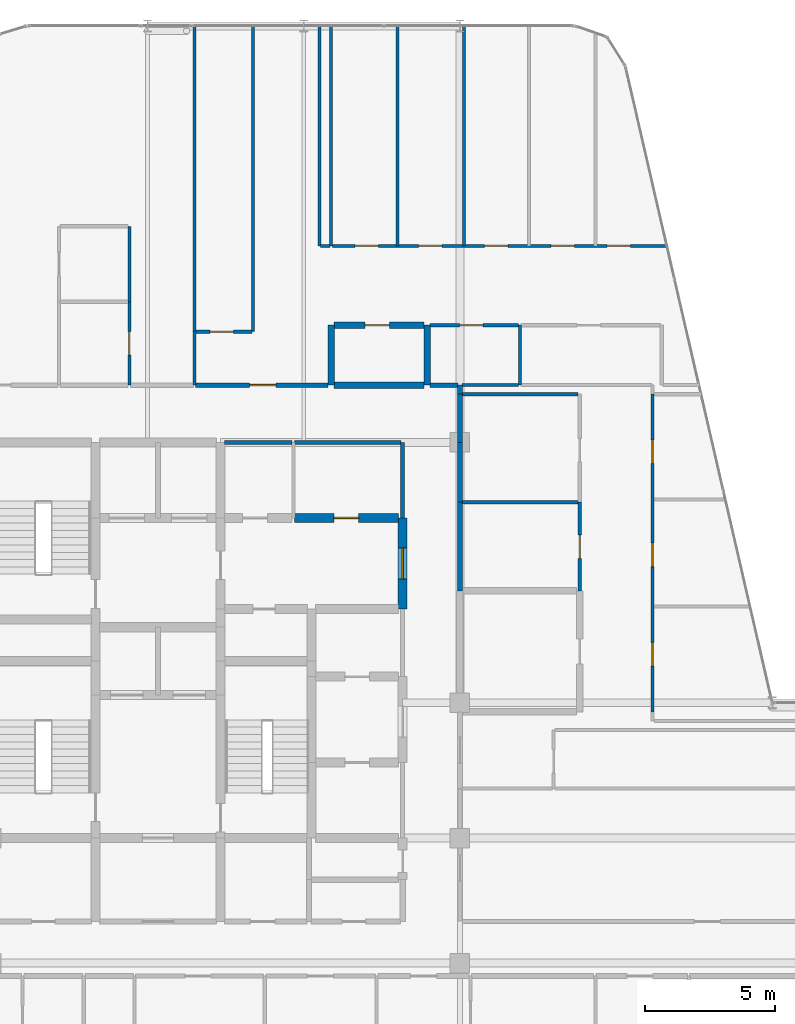
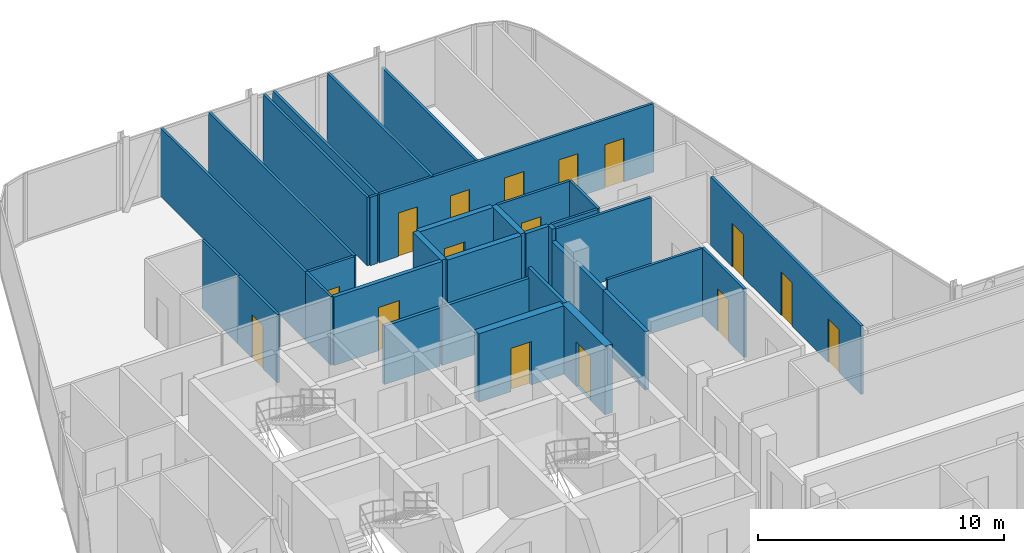
# One storey, part 27 of 29: 34 walls, 16 doors, 16 openings.
"""IFC4 building model written with IfcOpenShell, lengths in metres."""

from ifc_helpers import new_model, si_unit, direction, frame, frame_2d, origin, place, context, subcontext, project, spatial, rectangle, extrude, material, layer, layer_set, type_object, element, fill, save


model = new_model("IFC4")

# Units and contexts
model_context = context("Model", 3, precision=1e-05, world=origin(), true_north=direction((0.0, 1.0)))
body_context = subcontext(model_context, "Body", "Model", "MODEL_VIEW")
ifc_project = project(units=[si_unit("LENGTHUNIT", "METRE"), si_unit("AREAUNIT", "SQUARE_METRE"), si_unit("VOLUMEUNIT", "CUBIC_METRE"), si_unit("PLANEANGLEUNIT", "RADIAN"), si_unit("MASSUNIT", "GRAM", prefix="KILO")], contexts=[model_context])

# Site, building, storey
site_placement = place(None, origin())
site = spatial("IfcSite", under=ifc_project, at=site_placement, CompositionType="ELEMENT")
building_placement = place(site_placement, origin())
building = spatial("IfcBuilding", under=site, at=building_placement, Name="Keshet Zoharim Tower", CompositionType="ELEMENT")
storey_placement = place(building_placement, frame((0.0, 0.0, 230.199951171875)))
storey = spatial("IfcBuildingStorey", under=building, at=storey_placement, Name="L57", CompositionType="ELEMENT", Elevation=230.199951171875)

# Walls
ifc_material_1 = material(Name="Gypsum Plasterboard", Category="gypsum")
ifc_layer_1 = layer(ifc_material_1, 0.14990234375)
ifc_layer_set_1 = layer_set([ifc_layer_1], Name="Gypsum Plasterboard")
wall_type_1 = type_object("IfcWallType", Name="WL-CLIN-150", PredefinedType="STANDARD", material=ifc_layer_set_1)
wall_1_placement = place(storey_placement, frame((30.800048828125, 35.0, 0.0), z_axis=(0.0, 0.0, 1.0), x_axis=(0.0, 1.0, 0.0)))
element("IfcWall", 1, at=wall_1_placement, inside=storey, type_object=wall_type_1, Name="L57 Interior Wall 062", PredefinedType="STANDARD", context=body_context, shape_type="SweptSolid", body=[
    extrude(rectangle(XDim=2.89990234375, YDim=0.14990234375, at=frame_2d((1.449951171875, 0.0))), origin(), (0.0, 0.0, 1.0), 3.39013671875),
])
wall_2_placement = place(storey_placement, frame((23.9599609375, 37.89990234375, 0.0), z_axis=(0.0, 0.0, 1.0), x_axis=(1.0, 0.0, 0.0)))
element("IfcWall", 2, at=wall_2_placement, inside=storey, type_object=wall_type_1, Name="L57 Interior Wall 170", PredefinedType="STANDARD", context=body_context, shape_type="SweptSolid", body=[
    extrude(rectangle(XDim=2.594970703125, YDim=0.14990234375, at=frame_2d((1.29736328125, 0.0))), origin(), (0.0, 0.0, 1.0), 2.89013671875),
])
wall_3_placement = place(storey_placement, frame((26.64501953125, 37.89990234375, 0.0), z_axis=(0.0, 0.0, 1.0), x_axis=(1.0, 0.0, 0.0)))
element("IfcWall", 3, at=wall_3_placement, inside=storey, type_object=wall_type_1, Name="L57 Interior Wall 171", PredefinedType="STANDARD", context=body_context, shape_type="SweptSolid", body=[
    extrude(rectangle(XDim=4.094970703125, YDim=0.14990234375, at=frame_2d((2.04736328125, 0.0))), origin(), (0.0, 0.0, 1.0), 2.89013671875),
])

# Wall, opening, door
ifc_material_2 = material(Name="Concrete C60/75", Category="concrete")
ifc_layer_2 = layer(ifc_material_2, 0.35009765625)
ifc_layer_set_2 = layer_set([ifc_layer_2], Name="Concrete C60/75")
wall_type_2 = type_object("IfcWallType", Name="WL-CORE-350", PredefinedType="SHEAR", material=ifc_layer_set_2)
wall_4_placement = place(storey_placement, frame((30.800048828125, 31.5, 0.0), z_axis=(0.0, 0.0, 1.0), x_axis=(0.0, 1.0, 0.0)))
wall_4 = element("IfcWall", 4, at=wall_4_placement, inside=storey, type_object=wall_type_2, Name="L57 Core Shear Wall 061", PredefinedType="SHEAR", context=body_context, shape_type="SweptSolid", body=[
    extrude(rectangle(XDim=3.5, YDim=0.35009765625, at=frame_2d((1.75, 0.0))), origin(), (0.0, 0.0, 1.0), 3.39013671875),
])
opening_1_placement = place(wall_4_placement, frame((1.14990234375, 0.0, 0.0)))
opening_1 = element("IfcOpeningElement", 5, at=opening_1_placement, cuts=wall_4, Name="Opening D-F612", PredefinedType="OPENING", context=body_context, shape_type="SweptSolid", body=[
    extrude(rectangle(XDim=1.199951171875, YDim=2.199951171875, at=frame_2d((0.60009765625, 1.10009765625))), frame((0.0, 0.18505859375, 0.0), z_axis=(0.0, -1.0, 0.0), x_axis=(1.0, 0.0, 0.0)), (0.0, 0.0, 1.0), 0.3701171875),
])
ifc_material_3 = material(Name="Hardwood Timber", Category="wood")
door_type_1 = type_object("IfcDoorType", Name="DR-FD60-120", OperationType="NOTDEFINED", PredefinedType="DOOR", material=ifc_material_3)
door_1_placement = place(opening_1_placement, origin())
door_1 = element("IfcDoor", 6, at=door_1_placement, inside=storey, type_object=door_type_1, Name="L57 North Lift Lobby East Fire Door", OperationType="SINGLE_SWING_LEFT", OverallHeight=2.199951171875, OverallWidth=1.199951171875, PredefinedType="DOOR", context=body_context, shape_type="SweptSolid", body=[
    extrude(rectangle(XDim=1.199951171875, YDim=2.199951171875, at=frame_2d((0.60009765625, 1.10009765625))), frame((0.0, 0.02490234375, 0.0), z_axis=(0.0, -1.0, 0.0), x_axis=(1.0, 0.0, 0.0)), (0.0, 0.0, 1.0), 0.050048828125),
])
fill(opening_1, door_1)

wall_5_placement = place(storey_placement, frame((26.64501953125, 35.0, 0.0), z_axis=(0.0, 0.0, 1.0), x_axis=(1.0, 0.0, 0.0)))
wall_5 = element("IfcWall", 7, at=wall_5_placement, inside=storey, type_object=wall_type_2, Name="L57 Core Shear Wall 163", PredefinedType="SHEAR", context=body_context, shape_type="SweptSolid", body=[
    extrude(rectangle(XDim=3.994873046875, YDim=0.35009765625, at=frame_2d((1.99755859375, 0.0))), origin(), (0.0, 0.0, 1.0), 3.39013671875),
])
opening_2_placement = place(wall_5_placement, frame((1.508056640625, 0.0, 0.0)))
opening_2 = element("IfcOpeningElement", 8, at=opening_2_placement, cuts=wall_5, Name="Opening D-F695", PredefinedType="OPENING", context=body_context, shape_type="SweptSolid", body=[
    extrude(rectangle(XDim=0.949951171875, YDim=2.14990234375, at=frame_2d((0.47509765625, 1.074951171875))), frame((0.0, 0.18505859375, 0.0), z_axis=(0.0, -1.0, 0.0), x_axis=(1.0, 0.0, 0.0)), (0.0, 0.0, 1.0), 0.3701171875),
])
door_type_2 = type_object("IfcDoorType", Name="DR-FD60-095", OperationType="NOTDEFINED", PredefinedType="DOOR", material=ifc_material_3)
door_2_placement = place(opening_2_placement, frame((0.949951171875, 0.0, 0.0), z_axis=(0.0, 0.0, 1.0), x_axis=(-1.0, 0.0, 0.0)))
door_2 = element("IfcDoor", 9, at=door_2_placement, inside=storey, type_object=door_type_2, Name="L57 Quiet Study Room Door", OperationType="SINGLE_SWING_RIGHT", OverallHeight=2.14990234375, OverallWidth=0.949951171875, PredefinedType="DOOR", context=body_context, shape_type="SweptSolid", body=[
    extrude(rectangle(XDim=0.949951171875, YDim=2.14990234375, at=frame_2d((0.47509765625, 1.074951171875))), frame((0.0, 0.02490234375, 0.0), z_axis=(0.0, -1.0, 0.0), x_axis=(1.0, 0.0, 0.0)), (0.0, 0.0, 1.0), 0.050048828125),
])
fill(opening_2, door_2)

# Walls
ifc_layer_3 = layer(ifc_material_1, 0.179931640625)
ifc_layer_set_3 = layer_set([ifc_layer_3], Name="Gypsum Plasterboard")
wall_type_3 = type_object("IfcWallType", Name="WL-CORR-180", PredefinedType="STANDARD", material=ifc_layer_set_3)
wall_6_placement = place(storey_placement, frame((33.0, 32.18603515625, 0.0), z_axis=(0.0, 0.0, 1.0), x_axis=(0.0, 1.0, 0.0)))
element("IfcWall", 10, at=wall_6_placement, inside=storey, type_object=wall_type_3, Name="L57 Interior Wall 067", PredefinedType="STANDARD", context=body_context, shape_type="SweptSolid", body=[
    extrude(rectangle(XDim=3.416015625, YDim=0.179931640625, at=frame_2d((1.7080078125, 0.0))), origin(), (0.0, 0.0, 1.0), 2.89013671875),
])
wall_7_placement = place(storey_placement, frame((33.0, 35.60205078125, 0.0), z_axis=(0.0, 0.0, 1.0), x_axis=(0.0, 1.0, 0.0)))
element("IfcWall", 11, at=wall_7_placement, inside=storey, type_object=wall_type_3, Name="L57 Interior Wall 068", PredefinedType="STANDARD", context=body_context, shape_type="SweptSolid", body=[
    extrude(rectangle(XDim=2.2978515625, YDim=0.179931640625, at=frame_2d((1.14892578125, 0.0))), origin(), (0.0, 0.0, 1.0), 2.89013671875),
])
wall_8_placement = place(storey_placement, frame((33.0, 39.75, 0.0), z_axis=(0.0, 0.0, 1.0), x_axis=(0.0, 1.0, 0.0)))
element("IfcWall", 12, at=wall_8_placement, inside=storey, type_object=wall_type_3, Name="L57 Interior Wall 069", PredefinedType="STANDARD", context=body_context, shape_type="SweptSolid", body=[
    extrude(rectangle(XDim=0.35009765625, YDim=0.179931640625, at=frame_2d((0.175048828125, 0.0))), origin(), (0.0, 0.0, 1.0), 3.39013671875),
])

# Wall, opening, door
wall_9_placement = place(storey_placement, frame((22.844970703125, 40.10009765625, 0.0), z_axis=(0.0, 0.0, 1.0), x_axis=(1.0, 0.0, 0.0)))
wall_9 = element("IfcWall", 13, at=wall_9_placement, inside=storey, type_object=wall_type_3, Name="L57 Interior Wall 179", PredefinedType="STANDARD", context=body_context, shape_type="SweptSolid", body=[
    extrude(rectangle(XDim=5.094970703125, YDim=0.179931640625, at=frame_2d((2.54736328125, 0.0))), origin(), (0.0, 0.0, 1.0), 3.39013671875),
])
opening_3_placement = place(wall_9_placement, frame((2.080078125, 0.0, 0.0)))
opening_3 = element("IfcOpeningElement", 14, at=opening_3_placement, cuts=wall_9, Name="Opening D-F310", PredefinedType="OPENING", context=body_context, shape_type="SweptSolid", body=[
    extrude(rectangle(XDim=1.0, YDim=2.14990234375, at=frame_2d((0.5, 1.074951171875))), frame((0.0, 0.10009765625, 0.0), z_axis=(0.0, -1.0, 0.0), x_axis=(1.0, 0.0, 0.0)), (0.0, 0.0, 1.0), 0.199951171875),
])
door_type_3 = type_object("IfcDoorType", Name="DR-FD30-100", OperationType="NOTDEFINED", PredefinedType="DOOR", material=ifc_material_3)
door_3_placement = place(opening_3_placement, origin())
door_3 = element("IfcDoor", 15, at=door_3_placement, inside=storey, type_object=door_type_3, Name="Apartment 5706 Entrance Door", OperationType="SINGLE_SWING_RIGHT", OverallHeight=2.14990234375, OverallWidth=1.0, PredefinedType="DOOR", context=body_context, shape_type="SweptSolid", body=[
    extrude(rectangle(XDim=1.0, YDim=2.14990234375, at=frame_2d((0.5, 1.074951171875))), frame((0.0, 0.02490234375, 0.0), z_axis=(0.0, -1.0, 0.0), x_axis=(1.0, 0.0, 0.0)), (0.0, 0.0, 1.0), 0.050048828125),
])
fill(opening_3, door_3)

# Walls
wall_10_placement = place(storey_placement, frame((31.843994140625, 40.10009765625, 0.0), z_axis=(0.0, 0.0, 1.0), x_axis=(1.0, 0.0, 0.0)))
element("IfcWall", 16, at=wall_10_placement, inside=storey, type_object=wall_type_3, Name="L57 Interior Wall 181", PredefinedType="STANDARD", context=body_context, shape_type="SweptSolid", body=[
    extrude(rectangle(XDim=1.0810546875, YDim=0.179931640625, at=frame_2d((0.54052734375, 0.0))), origin(), (0.0, 0.0, 1.0), 3.39013671875),
])
wall_11_placement = place(storey_placement, frame((33.0, 37.89990234375, 0.0), z_axis=(0.0, 0.0, 1.0), x_axis=(0.0, 1.0, 0.0)))
element("IfcWall", 17, at=wall_11_placement, inside=storey, type_object=wall_type_3, Name="L57 Interior Wall 068 Part 2", PredefinedType="STANDARD", context=body_context, shape_type="SweptSolid", body=[
    extrude(rectangle(XDim=1.85009765625, YDim=0.179931640625, at=frame_2d((0.925048828125, 0.0))), origin(), (0.0, 0.0, 1.0), 2.7900390625),
])
ifc_material_4 = material(Name="Concrete C50/60", Category="concrete")
ifc_layer_4 = layer(ifc_material_4, 0.25)
ifc_layer_set_4 = layer_set([ifc_layer_4], Name="Concrete C50/60")
wall_type_4 = type_object("IfcWallType", Name="WL-MAMAD-250", PredefinedType="STANDARD", material=ifc_layer_set_4)
for number, where, z_axis, x_axis, name in (
    (18, (28.050048828125, 40.10009765625, 0.0), (0.0, 0.0, 1.0), (0.0, 1.0, 0.0), "L57 Interior Wall 052"),
    (19, (31.75, 40.10009765625, 0.0), (0.0, 0.0, 1.0), (0.0, 1.0, 0.0), "L57 Interior Wall 063"),
):
    element("IfcWall", number, at=place(storey_placement, frame(where, z_axis=z_axis, x_axis=x_axis)), inside=storey, type_object=wall_type_4, Name=name, PredefinedType="STANDARD", context=body_context, shape_type="SweptSolid", body=[
        extrude(rectangle(XDim=2.2998046875, YDim=0.25, at=frame_2d((1.14990234375, 0.0))), origin(), (0.0, 0.0, 1.0), 3.39013671875),
    ])
wall_12_placement = place(storey_placement, frame((28.159912109375, 40.10009765625, 0.0), z_axis=(0.0, 0.0, 1.0), x_axis=(1.0, 0.0, 0.0)))
element("IfcWall", 20, at=wall_12_placement, inside=storey, type_object=wall_type_4, Name="L57 Interior Wall 180", PredefinedType="STANDARD", context=body_context, shape_type="SweptSolid", body=[
    extrude(rectangle(XDim=3.464111328125, YDim=0.25, at=frame_2d((1.73193359375, 0.0))), origin(), (0.0, 0.0, 1.0), 3.39013671875),
])

# Wall, opening, door
wall_13_placement = place(storey_placement, frame((28.159912109375, 42.39990234375, 0.0), z_axis=(0.0, 0.0, 1.0), x_axis=(1.0, 0.0, 0.0)))
wall_13 = element("IfcWall", 21, at=wall_13_placement, inside=storey, type_object=wall_type_4, Name="L57 Interior Wall 186", PredefinedType="STANDARD", context=body_context, shape_type="SweptSolid", body=[
    extrude(rectangle(XDim=3.464111328125, YDim=0.25, at=frame_2d((1.73193359375, 0.0))), origin(), (0.0, 0.0, 1.0), 3.39013671875),
])
opening_4_placement = place(wall_13_placement, frame((1.18310546875, 0.0, 0.0)))
opening_4 = element("IfcOpeningElement", 22, at=opening_4_placement, cuts=wall_13, Name="Opening D-F695", PredefinedType="OPENING", context=body_context, shape_type="SweptSolid", body=[
    extrude(rectangle(XDim=0.949951171875, YDim=2.14990234375, at=frame_2d((0.47509765625, 1.074951171875))), frame((0.0, 0.135009765625, 0.0), z_axis=(0.0, -1.0, 0.0), x_axis=(1.0, 0.0, 0.0)), (0.0, 0.0, 1.0), 0.27001953125),
])
door_4_placement = place(opening_4_placement, origin())
door_4 = element("IfcDoor", 23, at=door_4_placement, inside=storey, type_object=door_type_2, Name="Apartment 5706 Study and Shelter Room Door", OperationType="SINGLE_SWING_RIGHT", OverallHeight=2.14990234375, OverallWidth=0.949951171875, PredefinedType="DOOR", context=body_context, shape_type="SweptSolid", body=[
    extrude(rectangle(XDim=0.949951171875, YDim=2.14990234375, at=frame_2d((0.47509765625, 1.074951171875))), frame((0.0, 0.02490234375, 0.0), z_axis=(0.0, -1.0, 0.0), x_axis=(1.0, 0.0, 0.0)), (0.0, 0.0, 1.0), 0.050048828125),
])
fill(opening_4, door_4)

ifc_layer_5 = layer(ifc_material_1, 0.1201171875)
ifc_layer_set_5 = layer_set([ifc_layer_5], Name="Gypsum Plasterboard")
wall_type_5 = type_object("IfcWallType", Name="WL-PART-120", PredefinedType="PARTITIONING", material=ifc_layer_set_5)
wall_14_placement = place(storey_placement, frame((20.300048828125, 40.10009765625, 0.0), z_axis=(0.0, 0.0, 1.0), x_axis=(0.0, 1.0, 0.0)))
wall_14 = element("IfcWall", 24, at=wall_14_placement, inside=storey, type_object=wall_type_5, Name="L57 Interior Wall 028", PredefinedType="PARTITIONING", context=body_context, shape_type="SweptSolid", body=[
    extrude(rectangle(XDim=3.199951171875, YDim=0.1201171875, at=frame_2d((1.60009765625, 0.0))), origin(), (0.0, 0.0, 1.0), 3.39013671875),
])
opening_5_placement = place(wall_14_placement, frame((1.14990234375, 0.0, 0.0)))
opening_5 = element("IfcOpeningElement", 25, at=opening_5_placement, cuts=wall_14, Name="Opening D-IN90", PredefinedType="OPENING", context=body_context, shape_type="SweptSolid", body=[
    extrude(rectangle(XDim=0.89990234375, YDim=2.14990234375, at=frame_2d((0.449951171875, 1.074951171875))), frame((0.0, 0.070068359375, 0.0), z_axis=(0.0, -1.0, 0.0), x_axis=(1.0, 0.0, 0.0)), (0.0, 0.0, 1.0), 0.14013671875),
])
door_type_4 = type_object("IfcDoorType", Name="DR-INT-090", OperationType="NOTDEFINED", PredefinedType="DOOR", material=ifc_material_3)
door_5_placement = place(opening_5_placement, origin())
door_5 = element("IfcDoor", 26, at=door_5_placement, inside=storey, type_object=door_type_4, Name="Apartment 5705 Kitchenette Door", OperationType="SINGLE_SWING_RIGHT", OverallHeight=2.14990234375, OverallWidth=0.89990234375, PredefinedType="DOOR", context=body_context, shape_type="SweptSolid", body=[
    extrude(rectangle(XDim=0.89990234375, YDim=2.14990234375, at=frame_2d((0.449951171875, 1.074951171875))), frame((0.0, 0.02490234375, 0.0), z_axis=(0.0, -1.0, 0.0), x_axis=(1.0, 0.0, 0.0)), (0.0, 0.0, 1.0), 0.050048828125),
])
fill(opening_5, door_5)

# Walls
wall_15_placement = place(storey_placement, frame((22.800048828125, 40.10009765625, 0.0), z_axis=(0.0, 0.0, 1.0), x_axis=(0.0, 1.0, 0.0)))
element("IfcWall", 27, at=wall_15_placement, inside=storey, type_object=wall_type_5, Name="L57 Interior Wall 033", PredefinedType="PARTITIONING", context=body_context, shape_type="SweptSolid", body=[
    extrude(rectangle(XDim=2.0498046875, YDim=0.1201171875, at=frame_2d((1.02490234375, 0.0))), origin(), (0.0, 0.0, 1.0), 3.39013671875),
])
for number, where, z_axis, x_axis, name in (
    (28, (22.800048828125, 42.14990234375, 0.0), (0.0, 0.0, 1.0), (0.0, 1.0, 0.0), "L57 Interior Wall 034"),
    (29, (25.050048828125, 42.14990234375, 0.0), (0.0, 0.0, 1.0), (0.0, 1.0, 0.0), "L57 Interior Wall 042"),
):
    element("IfcWall", number, at=place(storey_placement, frame(where, z_axis=z_axis, x_axis=x_axis)), inside=storey, type_object=wall_type_5, Name=name, PredefinedType="PARTITIONING", context=body_context, shape_type="SweptSolid", body=[
        extrude(rectangle(XDim=11.739990234375, YDim=0.1201171875, at=frame_2d((5.8701171875, 0.0))), origin(), (0.0, 0.0, 1.0), 3.39013671875),
    ])
for number, where, z_axis, x_axis, name in (
    (30, (27.60009765625, 45.449951171875, 0.0), (0.0, 0.0, 1.0), (0.0, 1.0, 0.0), "L57 Interior Wall 051"),
    (31, (28.050048828125, 45.449951171875, 0.0), (0.0, 0.0, 1.0), (0.0, 1.0, 0.0), "L57 Interior Wall 053"),
    (32, (30.60009765625, 45.449951171875, 0.0), (0.0, 0.0, 1.0), (0.0, 1.0, 0.0), "L57 Interior Wall 055"),
):
    element("IfcWall", number, at=place(storey_placement, frame(where, z_axis=z_axis, x_axis=x_axis)), inside=storey, type_object=wall_type_5, Name=name, PredefinedType="PARTITIONING", context=body_context, shape_type="SweptSolid", body=[
        extrude(rectangle(XDim=8.43994140625, YDim=0.1201171875, at=frame_2d((4.219970703125, 0.0))), origin(), (0.0, 0.0, 1.0), 3.39013671875),
    ])
wall_16_placement = place(storey_placement, frame((33.14990234375, 45.449951171875, 0.0), z_axis=(0.0, 0.0, 1.0), x_axis=(0.0, 1.0, 0.0)))
element("IfcWall", 33, at=wall_16_placement, inside=storey, type_object=wall_type_5, Name="L57 Interior Wall 070", PredefinedType="PARTITIONING", context=body_context, shape_type="SweptSolid", body=[
    extrude(rectangle(XDim=8.43994140625, YDim=0.1201171875, at=frame_2d((4.219970703125, 0.0))), origin(), (0.0, 0.0, 1.0), 2.7900390625),
])

# Wall, openings, doors
wall_17_placement = place(storey_placement, frame((40.39990234375, 27.550048828125, 0.0), z_axis=(0.0, 0.0, 1.0), x_axis=(0.0, 1.0, 0.0)))
wall_17 = element("IfcWall", 34, at=wall_17_placement, inside=storey, type_object=wall_type_5, Name="L57 Interior Wall 085", PredefinedType="PARTITIONING", context=body_context, shape_type="SweptSolid", body=[
    extrude(rectangle(XDim=12.199951171875, YDim=0.1201171875, at=frame_2d((6.10009765625, 0.0))), origin(), (0.0, 0.0, 1.0), 3.39013671875),
])
opening_6_placement = place(wall_17_placement, frame((1.758056640625, 0.0, 0.0)))
opening_6 = element("IfcOpeningElement", 35, at=opening_6_placement, cuts=wall_17, Name="Opening D-IN90", PredefinedType="OPENING", context=body_context, shape_type="SweptSolid", body=[
    extrude(rectangle(XDim=0.89990234375, YDim=2.14990234375, at=frame_2d((0.449951171875, 1.074951171875))), frame((0.0, 0.070068359375, 0.0), z_axis=(0.0, -1.0, 0.0), x_axis=(1.0, 0.0, 0.0)), (0.0, 0.0, 1.0), 0.14013671875),
])
opening_7_placement = place(wall_17_placement, frame((5.5791015625, 0.0, 0.0)))
opening_7 = element("IfcOpeningElement", 36, at=opening_7_placement, cuts=wall_17, Name="Opening D-IN90", PredefinedType="OPENING", context=body_context, shape_type="SweptSolid", body=[
    extrude(rectangle(XDim=0.89990234375, YDim=2.14990234375, at=frame_2d((0.449951171875, 1.074951171875))), frame((0.0, 0.070068359375, 0.0), z_axis=(0.0, -1.0, 0.0), x_axis=(1.0, 0.0, 0.0)), (0.0, 0.0, 1.0), 0.14013671875),
])
opening_8_placement = place(wall_17_placement, frame((9.541015625, 0.0, 0.0)))
opening_8 = element("IfcOpeningElement", 37, at=opening_8_placement, cuts=wall_17, Name="Opening D-IN90", PredefinedType="OPENING", context=body_context, shape_type="SweptSolid", body=[
    extrude(rectangle(XDim=0.89990234375, YDim=2.14990234375, at=frame_2d((0.449951171875, 1.074951171875))), frame((0.0, 0.070068359375, 0.0), z_axis=(0.0, -1.0, 0.0), x_axis=(1.0, 0.0, 0.0)), (0.0, 0.0, 1.0), 0.14013671875),
])
door_6_placement = place(opening_6_placement, origin())
door_6 = element("IfcDoor", 38, at=door_6_placement, inside=storey, type_object=door_type_4, Name="Apartment 5710 Bedroom 1 Door", OperationType="SINGLE_SWING_RIGHT", OverallHeight=2.14990234375, OverallWidth=0.89990234375, PredefinedType="DOOR", context=body_context, shape_type="SweptSolid", body=[
    extrude(rectangle(XDim=0.89990234375, YDim=2.14990234375, at=frame_2d((0.449951171875, 1.074951171875))), frame((0.0, 0.02490234375, 0.0), z_axis=(0.0, -1.0, 0.0), x_axis=(1.0, 0.0, 0.0)), (0.0, 0.0, 1.0), 0.050048828125),
])
fill(opening_6, door_6)
door_7_placement = place(opening_7_placement, origin())
door_7 = element("IfcDoor", 39, at=door_7_placement, inside=storey, type_object=door_type_4, Name="Apartment 5710 Bedroom 2 Door", OperationType="SINGLE_SWING_LEFT", OverallHeight=2.14990234375, OverallWidth=0.89990234375, PredefinedType="DOOR", context=body_context, shape_type="SweptSolid", body=[
    extrude(rectangle(XDim=0.89990234375, YDim=2.14990234375, at=frame_2d((0.449951171875, 1.074951171875))), frame((0.0, 0.02490234375, 0.0), z_axis=(0.0, -1.0, 0.0), x_axis=(1.0, 0.0, 0.0)), (0.0, 0.0, 1.0), 0.050048828125),
])
fill(opening_7, door_7)
door_8_placement = place(opening_8_placement, origin())
door_8 = element("IfcDoor", 40, at=door_8_placement, inside=storey, type_object=door_type_4, Name="Apartment 5710 Bedroom 3 Door", OperationType="SINGLE_SWING_RIGHT", OverallHeight=2.14990234375, OverallWidth=0.89990234375, PredefinedType="DOOR", context=body_context, shape_type="SweptSolid", body=[
    extrude(rectangle(XDim=0.89990234375, YDim=2.14990234375, at=frame_2d((0.449951171875, 1.074951171875))), frame((0.0, 0.02490234375, 0.0), z_axis=(0.0, -1.0, 0.0), x_axis=(1.0, 0.0, 0.0)), (0.0, 0.0, 1.0), 0.050048828125),
])
fill(opening_8, door_8)

# Wall
wall_18_placement = place(storey_placement, frame((33.074951171875, 39.75, 0.0), z_axis=(0.0, 0.0, 1.0), x_axis=(1.0, 0.0, 0.0)))
element("IfcWall", 41, at=wall_18_placement, inside=storey, type_object=wall_type_5, Name="L57 Interior Wall 172", PredefinedType="PARTITIONING", context=body_context, shape_type="SweptSolid", body=[
    extrude(rectangle(XDim=4.4599609375, YDim=0.1201171875, at=frame_2d((2.22998046875, 0.0))), origin(), (0.0, 0.0, 1.0), 3.39013671875),
])

# Wall, opening, door
wall_19_placement = place(storey_placement, frame((22.844970703125, 42.14990234375, 0.0), z_axis=(0.0, 0.0, 1.0), x_axis=(1.0, 0.0, 0.0)))
wall_19 = element("IfcWall", 42, at=wall_19_placement, inside=storey, type_object=wall_type_5, Name="L57 Interior Wall 185", PredefinedType="PARTITIONING", context=body_context, shape_type="SweptSolid", body=[
    extrude(rectangle(XDim=2.159912109375, YDim=0.1201171875, at=frame_2d((1.080078125, 0.0))), origin(), (0.0, 0.0, 1.0), 3.39013671875),
])
opening_9_placement = place(wall_19_placement, frame((0.552978515625, 0.0, 0.0)))
opening_9 = element("IfcOpeningElement", 43, at=opening_9_placement, cuts=wall_19, Name="Opening D-IN90", PredefinedType="OPENING", context=body_context, shape_type="SweptSolid", body=[
    extrude(rectangle(XDim=0.89990234375, YDim=2.14990234375, at=frame_2d((0.449951171875, 1.074951171875))), frame((0.0, 0.070068359375, 0.0), z_axis=(0.0, -1.0, 0.0), x_axis=(1.0, 0.0, 0.0)), (0.0, 0.0, 1.0), 0.14013671875),
])
door_9_placement = place(opening_9_placement, origin())
door_9 = element("IfcDoor", 44, at=door_9_placement, inside=storey, type_object=door_type_4, Name="Apartment 5706 Formal Dining Room Door", OperationType="SINGLE_SWING_LEFT", OverallHeight=2.14990234375, OverallWidth=0.89990234375, PredefinedType="DOOR", context=body_context, shape_type="SweptSolid", body=[
    extrude(rectangle(XDim=0.89990234375, YDim=2.14990234375, at=frame_2d((0.449951171875, 1.074951171875))), frame((0.0, 0.02490234375, 0.0), z_axis=(0.0, -1.0, 0.0), x_axis=(1.0, 0.0, 0.0)), (0.0, 0.0, 1.0), 0.050048828125),
])
fill(opening_9, door_9)

# Wall
wall_20_placement = place(storey_placement, frame((27.64501953125, 45.449951171875, 0.0), z_axis=(0.0, 0.0, 1.0), x_axis=(1.0, 0.0, 0.0)))
element("IfcWall", 45, at=wall_20_placement, inside=storey, type_object=wall_type_5, Name="L57 Interior Wall 190", PredefinedType="PARTITIONING", context=body_context, shape_type="SweptSolid", body=[
    extrude(rectangle(XDim=0.35986328125, YDim=0.1201171875, at=frame_2d((0.179931640625, 0.0))), origin(), (0.0, 0.0, 1.0), 3.39013671875),
])

# Wall, openings, doors
wall_21_placement = place(storey_placement, frame((28.094970703125, 45.449951171875, 0.0), z_axis=(0.0, 0.0, 1.0), x_axis=(1.0, 0.0, 0.0)))
wall_21 = element("IfcWall", 46, at=wall_21_placement, inside=storey, type_object=wall_type_5, Name="L57 Interior Wall 191", PredefinedType="PARTITIONING", context=body_context, shape_type="SweptSolid", body=[
    extrude(rectangle(XDim=12.844970703125, YDim=0.1201171875, at=frame_2d((6.42236328125, 0.0))), origin(), (0.0, 0.0, 1.0), 3.39013671875),
])
opening_10_placement = place(wall_21_placement, frame((0.8740234375, 0.0, 0.0)))
opening_10 = element("IfcOpeningElement", 47, at=opening_10_placement, cuts=wall_21, Name="Opening D-IN90", PredefinedType="OPENING", context=body_context, shape_type="SweptSolid", body=[
    extrude(rectangle(XDim=0.89990234375, YDim=2.14990234375, at=frame_2d((0.449951171875, 1.074951171875))), frame((0.0, 0.070068359375, 0.0), z_axis=(0.0, -1.0, 0.0), x_axis=(1.0, 0.0, 0.0)), (0.0, 0.0, 1.0), 0.14013671875),
])
opening_11_placement = place(wall_21_placement, frame((3.31494140625, 0.0, 0.0)))
opening_11 = element("IfcOpeningElement", 48, at=opening_11_placement, cuts=wall_21, Name="Opening D-IN90", PredefinedType="OPENING", context=body_context, shape_type="SweptSolid", body=[
    extrude(rectangle(XDim=0.89990234375, YDim=2.14990234375, at=frame_2d((0.449951171875, 1.074951171875))), frame((0.0, 0.070068359375, 0.0), z_axis=(0.0, -1.0, 0.0), x_axis=(1.0, 0.0, 0.0)), (0.0, 0.0, 1.0), 0.14013671875),
])
opening_12_placement = place(wall_21_placement, frame((5.85595703125, 0.0, 0.0)))
opening_12 = element("IfcOpeningElement", 49, at=opening_12_placement, cuts=wall_21, Name="Opening D-IN90", PredefinedType="OPENING", context=body_context, shape_type="SweptSolid", body=[
    extrude(rectangle(XDim=0.89990234375, YDim=2.14990234375, at=frame_2d((0.449951171875, 1.074951171875))), frame((0.0, 0.070068359375, 0.0), z_axis=(0.0, -1.0, 0.0), x_axis=(1.0, 0.0, 0.0)), (0.0, 0.0, 1.0), 0.14013671875),
])
opening_13_placement = place(wall_21_placement, frame((8.39697265625, 0.0, 0.0)))
opening_13 = element("IfcOpeningElement", 50, at=opening_13_placement, cuts=wall_21, Name="Opening D-IN90", PredefinedType="OPENING", context=body_context, shape_type="SweptSolid", body=[
    extrude(rectangle(XDim=0.89990234375, YDim=2.14990234375, at=frame_2d((0.449951171875, 1.074951171875))), frame((0.0, 0.070068359375, 0.0), z_axis=(0.0, -1.0, 0.0), x_axis=(1.0, 0.0, 0.0)), (0.0, 0.0, 1.0), 0.14013671875),
])
opening_14_placement = place(wall_21_placement, frame((10.554931640625, 0.0, 0.0)))
opening_14 = element("IfcOpeningElement", 51, at=opening_14_placement, cuts=wall_21, Name="Opening D-IN90", PredefinedType="OPENING", context=body_context, shape_type="SweptSolid", body=[
    extrude(rectangle(XDim=0.89990234375, YDim=2.14990234375, at=frame_2d((0.449951171875, 1.074951171875))), frame((0.0, 0.070068359375, 0.0), z_axis=(0.0, -1.0, 0.0), x_axis=(1.0, 0.0, 0.0)), (0.0, 0.0, 1.0), 0.14013671875),
])
door_10_placement = place(opening_10_placement, origin())
door_10 = element("IfcDoor", 52, at=door_10_placement, inside=storey, type_object=door_type_4, Name="Apartment 5706 Bedroom 1 Door", OperationType="SINGLE_SWING_LEFT", OverallHeight=2.14990234375, OverallWidth=0.89990234375, PredefinedType="DOOR", context=body_context, shape_type="SweptSolid", body=[
    extrude(rectangle(XDim=0.89990234375, YDim=2.14990234375, at=frame_2d((0.449951171875, 1.074951171875))), frame((0.0, 0.02490234375, 0.0), z_axis=(0.0, -1.0, 0.0), x_axis=(1.0, 0.0, 0.0)), (0.0, 0.0, 1.0), 0.050048828125),
])
fill(opening_10, door_10)
door_11_placement = place(opening_11_placement, origin())
door_11 = element("IfcDoor", 53, at=door_11_placement, inside=storey, type_object=door_type_4, Name="Apartment 5706 Bedroom 2 Door", OperationType="SINGLE_SWING_RIGHT", OverallHeight=2.14990234375, OverallWidth=0.89990234375, PredefinedType="DOOR", context=body_context, shape_type="SweptSolid", body=[
    extrude(rectangle(XDim=0.89990234375, YDim=2.14990234375, at=frame_2d((0.449951171875, 1.074951171875))), frame((0.0, 0.02490234375, 0.0), z_axis=(0.0, -1.0, 0.0), x_axis=(1.0, 0.0, 0.0)), (0.0, 0.0, 1.0), 0.050048828125),
])
fill(opening_11, door_11)
door_12_placement = place(opening_12_placement, origin())
door_12 = element("IfcDoor", 54, at=door_12_placement, inside=storey, type_object=door_type_4, Name="Apartment 5706 Bedroom 3 Door", OperationType="SINGLE_SWING_LEFT", OverallHeight=2.14990234375, OverallWidth=0.89990234375, PredefinedType="DOOR", context=body_context, shape_type="SweptSolid", body=[
    extrude(rectangle(XDim=0.89990234375, YDim=2.14990234375, at=frame_2d((0.449951171875, 1.074951171875))), frame((0.0, 0.02490234375, 0.0), z_axis=(0.0, -1.0, 0.0), x_axis=(1.0, 0.0, 0.0)), (0.0, 0.0, 1.0), 0.050048828125),
])
fill(opening_12, door_12)
door_13_placement = place(opening_13_placement, origin())
door_13 = element("IfcDoor", 55, at=door_13_placement, inside=storey, type_object=door_type_4, Name="Apartment 5706 Bedroom 4 Door", OperationType="SINGLE_SWING_RIGHT", OverallHeight=2.14990234375, OverallWidth=0.89990234375, PredefinedType="DOOR", context=body_context, shape_type="SweptSolid", body=[
    extrude(rectangle(XDim=0.89990234375, YDim=2.14990234375, at=frame_2d((0.449951171875, 1.074951171875))), frame((0.0, 0.02490234375, 0.0), z_axis=(0.0, -1.0, 0.0), x_axis=(1.0, 0.0, 0.0)), (0.0, 0.0, 1.0), 0.050048828125),
])
fill(opening_13, door_13)
door_14_placement = place(opening_14_placement, origin())
door_14 = element("IfcDoor", 56, at=door_14_placement, inside=storey, type_object=door_type_4, Name="Apartment 5706 Bedroom 5 Door", OperationType="SINGLE_SWING_LEFT", OverallHeight=2.14990234375, OverallWidth=0.89990234375, PredefinedType="DOOR", context=body_context, shape_type="SweptSolid", body=[
    extrude(rectangle(XDim=0.89990234375, YDim=2.14990234375, at=frame_2d((0.449951171875, 1.074951171875))), frame((0.0, 0.02490234375, 0.0), z_axis=(0.0, -1.0, 0.0), x_axis=(1.0, 0.0, 0.0)), (0.0, 0.0, 1.0), 0.050048828125),
])
fill(opening_14, door_14)

# Walls
ifc_layer_6 = layer(ifc_material_1, 0.1201171875)
ifc_layer_set_6 = layer_set([ifc_layer_6], Name="Gypsum Plasterboard")
wall_type_6 = type_object("IfcWallType", Name="WL-WET-120", PredefinedType="PARTITIONING", material=ifc_layer_set_6)
wall_22_placement = place(storey_placement, frame((20.300048828125, 43.300048828125, 0.0), z_axis=(0.0, 0.0, 1.0), x_axis=(0.0, 1.0, 0.0)))
element("IfcWall", 57, at=wall_22_placement, inside=storey, type_object=wall_type_6, Name="L57 Interior Wall 029", PredefinedType="PARTITIONING", context=body_context, shape_type="SweptSolid", body=[
    extrude(rectangle(XDim=2.89990234375, YDim=0.1201171875, at=frame_2d((1.449951171875, 0.0))), origin(), (0.0, 0.0, 1.0), 3.39013671875),
])
wall_23_placement = place(storey_placement, frame((35.300048828125, 40.10009765625, 0.0), z_axis=(0.0, 0.0, 1.0), x_axis=(0.0, 1.0, 0.0)))
element("IfcWall", 58, at=wall_23_placement, inside=storey, type_object=wall_type_6, Name="L57 Interior Wall 074", PredefinedType="PARTITIONING", context=body_context, shape_type="SweptSolid", body=[
    extrude(rectangle(XDim=2.2998046875, YDim=0.1201171875, at=frame_2d((1.14990234375, 0.0))), origin(), (0.0, 0.0, 1.0), 3.39013671875),
])

# Wall, opening, door
wall_24_placement = place(storey_placement, frame((37.60009765625, 32.18603515625, 0.0), z_axis=(0.0, 0.0, 1.0), x_axis=(0.0, 1.0, 0.0)))
wall_24 = element("IfcWall", 59, at=wall_24_placement, inside=storey, type_object=wall_type_6, Name="L57 Interior Wall 078", PredefinedType="PARTITIONING", context=body_context, shape_type="SweptSolid", body=[
    extrude(rectangle(XDim=3.416015625, YDim=0.1201171875, at=frame_2d((1.7080078125, 0.0))), origin(), (0.0, 0.0, 1.0), 3.39013671875),
])
opening_15_placement = place(wall_24_placement, frame((1.258056640625, 0.0, 0.0)))
opening_15 = element("IfcOpeningElement", 60, at=opening_15_placement, cuts=wall_24, Name="Opening D-WT90", PredefinedType="OPENING", context=body_context, shape_type="SweptSolid", body=[
    extrude(rectangle(XDim=0.89990234375, YDim=2.10009765625, at=frame_2d((0.449951171875, 1.050048828125))), frame((0.0, 0.070068359375, 0.0), z_axis=(0.0, -1.0, 0.0), x_axis=(1.0, 0.0, 0.0)), (0.0, 0.0, 1.0), 0.14013671875),
])
door_type_5 = type_object("IfcDoorType", Name="DR-WET-090", OperationType="NOTDEFINED", PredefinedType="DOOR", material=ifc_material_3)
door_15_placement = place(opening_15_placement, origin())
door_15 = element("IfcDoor", 61, at=door_15_placement, inside=storey, type_object=door_type_5, Name="Apartment 5710 Bathroom Door", OperationType="SINGLE_SWING_RIGHT", OverallHeight=2.10009765625, OverallWidth=0.89990234375, PredefinedType="DOOR", context=body_context, shape_type="SweptSolid", body=[
    extrude(rectangle(XDim=0.89990234375, YDim=2.10009765625, at=frame_2d((0.449951171875, 1.050048828125))), frame((0.0, 0.02490234375, 0.0), z_axis=(0.0, -1.0, 0.0), x_axis=(1.0, 0.0, 0.0)), (0.0, 0.0, 1.0), 0.050048828125),
])
fill(opening_15, door_15)

# Walls
wall_25_placement = place(storey_placement, frame((33.074951171875, 35.60009765625, 0.0), z_axis=(0.0, 0.0, 1.0), x_axis=(1.0, 0.0, 0.0)))
element("IfcWall", 62, at=wall_25_placement, inside=storey, type_object=wall_type_6, Name="L57 Interior Wall 166", PredefinedType="PARTITIONING", context=body_context, shape_type="SweptSolid", body=[
    extrude(rectangle(XDim=4.4599609375, YDim=0.1201171875, at=frame_2d((2.22998046875, 0.0))), origin(), (0.0, 0.0, 1.0), 3.39013671875),
])
wall_26_placement = place(storey_placement, frame((33.074951171875, 40.10009765625, 0.0), z_axis=(0.0, 0.0, 1.0), x_axis=(1.0, 0.0, 0.0)))
element("IfcWall", 63, at=wall_26_placement, inside=storey, type_object=wall_type_6, Name="L57 Interior Wall 182", PredefinedType="PARTITIONING", context=body_context, shape_type="SweptSolid", body=[
    extrude(rectangle(XDim=2.171142578125, YDim=0.1201171875, at=frame_2d((1.08544921875, 0.0))), origin(), (0.0, 0.0, 1.0), 3.39013671875),
])

# Wall, opening, door
wall_27_placement = place(storey_placement, frame((31.843994140625, 42.39990234375, 0.0), z_axis=(0.0, 0.0, 1.0), x_axis=(1.0, 0.0, 0.0)))
wall_27 = element("IfcWall", 64, at=wall_27_placement, inside=storey, type_object=wall_type_6, Name="L57 Interior Wall 187", PredefinedType="PARTITIONING", context=body_context, shape_type="SweptSolid", body=[
    extrude(rectangle(XDim=3.402099609375, YDim=0.1201171875, at=frame_2d((1.701171875, 0.0))), origin(), (0.0, 0.0, 1.0), 3.39013671875),
])
opening_16_placement = place(wall_27_placement, frame((1.14697265625, 0.0, 0.0)))
opening_16 = element("IfcOpeningElement", 65, at=opening_16_placement, cuts=wall_27, Name="Opening D-WT90", PredefinedType="OPENING", context=body_context, shape_type="SweptSolid", body=[
    extrude(rectangle(XDim=0.89990234375, YDim=2.10009765625, at=frame_2d((0.449951171875, 1.050048828125))), frame((0.0, 0.070068359375, 0.0), z_axis=(0.0, -1.0, 0.0), x_axis=(1.0, 0.0, 0.0)), (0.0, 0.0, 1.0), 0.14013671875),
])
door_16_placement = place(opening_16_placement, origin())
door_16 = element("IfcDoor", 66, at=door_16_placement, inside=storey, type_object=door_type_5, Name="Apartment 5706 Bathroom Door", OperationType="SINGLE_SWING_LEFT", OverallHeight=2.10009765625, OverallWidth=0.89990234375, PredefinedType="DOOR", context=body_context, shape_type="SweptSolid", body=[
    extrude(rectangle(XDim=0.89990234375, YDim=2.10009765625, at=frame_2d((0.449951171875, 1.050048828125))), frame((0.0, 0.02490234375, 0.0), z_axis=(0.0, -1.0, 0.0), x_axis=(1.0, 0.0, 0.0)), (0.0, 0.0, 1.0), 0.050048828125),
])
fill(opening_16, door_16)

save(model, "model.ifc")
